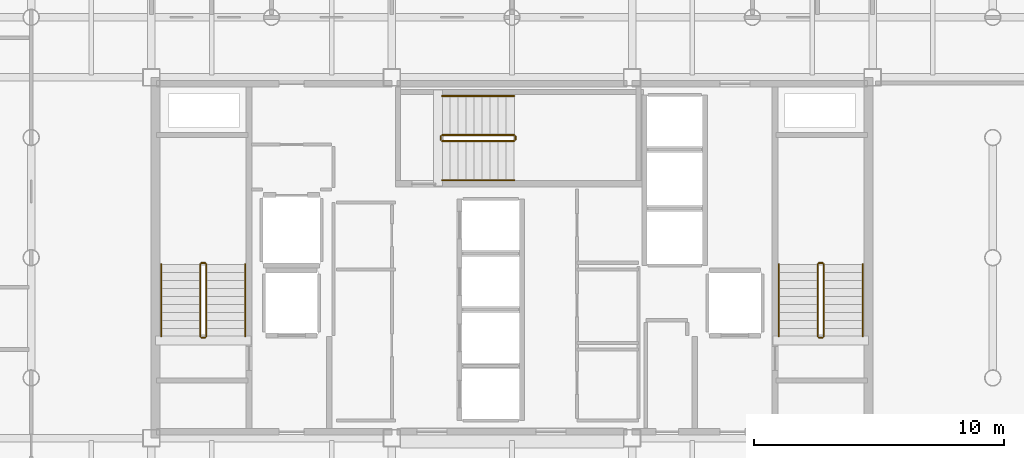
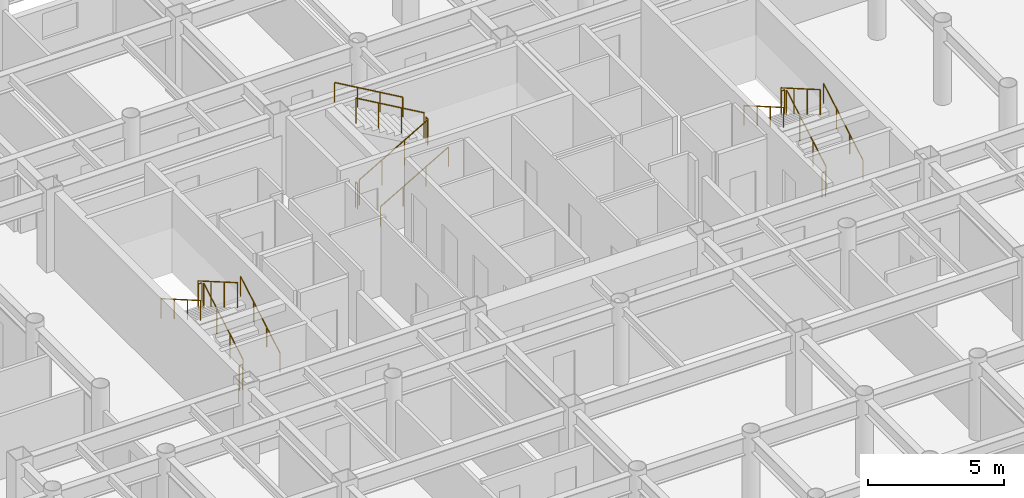
# One storey, part 20 of 20: 18 railings.
"""IFC4 building model written with IfcOpenShell, lengths in metres."""

from ifc_helpers import new_model, si_unit, direction, frame, origin, origin_2d, place, context, subcontext, project, spatial, circle, extrude, material, layer, layer_set, type_object, element, save


model = new_model("IFC4")

# Units and contexts
model_context = context("Model", 3, precision=1e-05, world=origin(), true_north=direction((0.0, 1.0)))
body_context = subcontext(model_context, "Body", "Model", "MODEL_VIEW")
ifc_project = project(units=[si_unit("LENGTHUNIT", "METRE"), si_unit("AREAUNIT", "SQUARE_METRE"), si_unit("VOLUMEUNIT", "CUBIC_METRE"), si_unit("PLANEANGLEUNIT", "RADIAN"), si_unit("MASSUNIT", "GRAM", prefix="KILO")], contexts=[model_context])

# Site, building, storey
site_placement = place(None, origin())
site = spatial("IfcSite", under=ifc_project, at=site_placement, CompositionType="ELEMENT")
building_placement = place(site_placement, origin())
building = spatial("IfcBuilding", under=site, at=building_placement, Name="Kallvorn Hotel Tower", CompositionType="ELEMENT")
storey_placement = place(building_placement, frame((0.0, 0.0, 176.60009765625)))
storey = spatial("IfcBuildingStorey", under=building, at=storey_placement, Name="L44", CompositionType="ELEMENT", Elevation=176.60009765625)

# Railings
ifc_material_1 = material(Name="Brushed stainless-steel tubular railing", Category="steel")
ifc_layer_1 = layer(ifc_material_1, 0.050048828125)
ifc_layer_set_1 = layer_set([ifc_layer_1], Name="RL_STAIR_GUARD")
railing_type_1 = type_object("IfcRailingType", Name="RL_STAIR_GUARD", PredefinedType="GUARDRAIL", material=ifc_layer_set_1)
railing_1_placement = place(storey_placement, frame((-12.2099609375, -3.139892578125, 0.184814453125)))
element("IfcRailing", 1, at=railing_1_placement, inside=storey, type_object=railing_type_1, Name="L44 ST1 stair guard 1", PredefinedType="GUARDRAIL", context=body_context, shape_type="SweptSolid", body=[
    extrude(circle(Radius=0.02392578125, at=origin_2d()), frame((0.0, 0.0, 1.1259765625), z_axis=(0.0, 0.865720918037, 0.500527014328), x_axis=(-1.0, 0.0, 0.0)), (0.0, 0.0, 1.0), 3.32666015625),
    extrude(circle(Radius=0.02099609375, at=origin_2d()), origin(), (0.0, 0.0, 1.0), 1.101806640625),
    extrude(circle(Radius=0.02099609375, at=origin_2d()), frame((0.0, 0.9599609375, 0.554931640625)), (0.0, 0.0, 1.0), 1.101806640625),
    extrude(circle(Radius=0.02099609375, at=origin_2d()), frame((0.0, 1.919921875, 1.110107421875)), (0.0, 0.0, 1.0), 1.101806640625),
    extrude(circle(Radius=0.02099609375, at=origin_2d()), frame((0.0, 2.8798828125, 1.6650390625)), (0.0, 0.0, 1.0), 1.101806640625),
])
railing_2_placement = place(storey_placement, frame((-12.260009765625, -0.2099609375, 1.849853515625)))
element("IfcRailing", 2, at=railing_2_placement, inside=storey, type_object=railing_type_1, Name="L44 ST1 stair guard 2", PredefinedType="GUARDRAIL", context=body_context, shape_type="SweptSolid", body=[
    extrude(circle(Radius=0.02392578125, at=origin_2d()), frame((0.0, 0.0, 1.1259765625), z_axis=(-1.0, 0.0, 0.0), x_axis=(0.0, -1.0, 0.0)), (0.0, 0.0, 1.0), 0.139892578125),
    extrude(circle(Radius=0.02099609375, at=origin_2d()), origin(), (0.0, 0.0, 1.0), 1.101806640625),
    extrude(circle(Radius=0.02099609375, at=origin_2d()), frame((-0.139892578125, 0.0, 0.0)), (0.0, 0.0, 1.0), 1.101806640625),
])
railing_3_placement = place(storey_placement, frame((-12.449951171875, -0.260009765625, 2.034912109375)))
element("IfcRailing", 3, at=railing_3_placement, inside=storey, type_object=railing_type_1, Name="L44 ST1 stair guard 3", PredefinedType="GUARDRAIL", context=body_context, shape_type="SweptSolid", body=[
    extrude(circle(Radius=0.02392578125, at=origin_2d()), frame((0.0, 0.0, 1.1259765625), z_axis=(0.0, -0.865720918037, 0.500527014328), x_axis=(1.0, 0.0, 0.0)), (0.0, 0.0, 1.0), 3.32666015625),
    extrude(circle(Radius=0.02099609375, at=origin_2d()), origin(), (0.0, 0.0, 1.0), 1.101806640625),
    extrude(circle(Radius=0.02099609375, at=origin_2d()), frame((0.0, -0.9599609375, 0.554931640625)), (0.0, 0.0, 1.0), 1.101806640625),
    extrude(circle(Radius=0.02099609375, at=origin_2d()), frame((0.0, -1.919921875, 1.110107421875)), (0.0, 0.0, 1.0), 1.101806640625),
    extrude(circle(Radius=0.02099609375, at=origin_2d()), frame((0.0, -2.8798828125, 1.6650390625)), (0.0, 0.0, 1.0), 1.101806640625),
])
railing_4_placement = place(storey_placement, frame((-12.260009765625, -3.18994140625, 0.0)))
element("IfcRailing", 4, at=railing_4_placement, inside=storey, type_object=railing_type_1, Name="L44 ST1 stair guard 4", PredefinedType="GUARDRAIL", context=body_context, shape_type="SweptSolid", body=[
    extrude(circle(Radius=0.02392578125, at=origin_2d()), frame((0.0, 0.0, 1.1259765625), z_axis=(-1.0, 0.0, 0.0), x_axis=(0.0, -1.0, 0.0)), (0.0, 0.0, 1.0), 0.139892578125),
    extrude(circle(Radius=0.02099609375, at=origin_2d()), origin(), (0.0, 0.0, 1.0), 1.101806640625),
    extrude(circle(Radius=0.02099609375, at=origin_2d()), frame((-0.139892578125, 0.0, 0.0)), (0.0, 0.0, 1.0), 1.101806640625),
])
railing_5_placement = place(storey_placement, frame((12.449951171875, -3.139892578125, 0.184814453125)))
element("IfcRailing", 5, at=railing_5_placement, inside=storey, type_object=railing_type_1, Name="L44 ST2 stair guard 1", PredefinedType="GUARDRAIL", context=body_context, shape_type="SweptSolid", body=[
    extrude(circle(Radius=0.02392578125, at=origin_2d()), frame((0.0, 0.0, 1.1259765625), z_axis=(0.0, 0.865720918037, 0.500527014328), x_axis=(-1.0, 0.0, 0.0)), (0.0, 0.0, 1.0), 3.32666015625),
    extrude(circle(Radius=0.02099609375, at=origin_2d()), origin(), (0.0, 0.0, 1.0), 1.101806640625),
    extrude(circle(Radius=0.02099609375, at=origin_2d()), frame((0.0, 0.9599609375, 0.554931640625)), (0.0, 0.0, 1.0), 1.101806640625),
    extrude(circle(Radius=0.02099609375, at=origin_2d()), frame((0.0, 1.919921875, 1.110107421875)), (0.0, 0.0, 1.0), 1.101806640625),
    extrude(circle(Radius=0.02099609375, at=origin_2d()), frame((0.0, 2.8798828125, 1.6650390625)), (0.0, 0.0, 1.0), 1.101806640625),
])
railing_6_placement = place(storey_placement, frame((12.39990234375, -0.2099609375, 1.849853515625)))
element("IfcRailing", 6, at=railing_6_placement, inside=storey, type_object=railing_type_1, Name="L44 ST2 stair guard 2", PredefinedType="GUARDRAIL", context=body_context, shape_type="SweptSolid", body=[
    extrude(circle(Radius=0.02392578125, at=origin_2d()), frame((0.0, 0.0, 1.1259765625), z_axis=(-1.0, 0.0, 0.0), x_axis=(0.0, -1.0, 0.0)), (0.0, 0.0, 1.0), 0.139892578125),
    extrude(circle(Radius=0.02099609375, at=origin_2d()), origin(), (0.0, 0.0, 1.0), 1.101806640625),
    extrude(circle(Radius=0.02099609375, at=origin_2d()), frame((-0.139892578125, 0.0, 0.0)), (0.0, 0.0, 1.0), 1.101806640625),
])
railing_7_placement = place(storey_placement, frame((12.2099609375, -0.260009765625, 2.034912109375)))
element("IfcRailing", 7, at=railing_7_placement, inside=storey, type_object=railing_type_1, Name="L44 ST2 stair guard 3", PredefinedType="GUARDRAIL", context=body_context, shape_type="SweptSolid", body=[
    extrude(circle(Radius=0.02392578125, at=origin_2d()), frame((0.0, 0.0, 1.1259765625), z_axis=(0.0, -0.865720918037, 0.500527014328), x_axis=(1.0, 0.0, 0.0)), (0.0, 0.0, 1.0), 3.32666015625),
    extrude(circle(Radius=0.02099609375, at=origin_2d()), origin(), (0.0, 0.0, 1.0), 1.101806640625),
    extrude(circle(Radius=0.02099609375, at=origin_2d()), frame((0.0, -0.9599609375, 0.554931640625)), (0.0, 0.0, 1.0), 1.101806640625),
    extrude(circle(Radius=0.02099609375, at=origin_2d()), frame((0.0, -1.919921875, 1.110107421875)), (0.0, 0.0, 1.0), 1.101806640625),
    extrude(circle(Radius=0.02099609375, at=origin_2d()), frame((0.0, -2.8798828125, 1.6650390625)), (0.0, 0.0, 1.0), 1.101806640625),
])
railing_8_placement = place(storey_placement, frame((12.39990234375, -3.18994140625, 0.0)))
element("IfcRailing", 8, at=railing_8_placement, inside=storey, type_object=railing_type_1, Name="L44 ST2 stair guard 4", PredefinedType="GUARDRAIL", context=body_context, shape_type="SweptSolid", body=[
    extrude(circle(Radius=0.02392578125, at=origin_2d()), frame((0.0, 0.0, 1.1259765625), z_axis=(-1.0, 0.0, 0.0), x_axis=(0.0, -1.0, 0.0)), (0.0, 0.0, 1.0), 0.139892578125),
    extrude(circle(Radius=0.02099609375, at=origin_2d()), origin(), (0.0, 0.0, 1.0), 1.101806640625),
    extrude(circle(Radius=0.02099609375, at=origin_2d()), frame((-0.139892578125, 0.0, 0.0)), (0.0, 0.0, 1.0), 1.101806640625),
])
railing_9_placement = place(storey_placement, frame((-2.7900390625, 4.659912109375, 0.184814453125)))
element("IfcRailing", 9, at=railing_9_placement, inside=storey, type_object=railing_type_1, Name="L44 ST3 stair guard 1", PredefinedType="GUARDRAIL", context=body_context, shape_type="SweptSolid", body=[
    extrude(circle(Radius=0.02392578125, at=origin_2d()), frame((0.0, 0.0, 1.1259765625), z_axis=(0.865739302748, 0.0, 0.50049521444), x_axis=(0.0, 1.0, 0.0)), (0.0, 0.0, 1.0), 3.326904296875),
    extrude(circle(Radius=0.02099609375, at=origin_2d()), origin(), (0.0, 0.0, 1.0), 1.101806640625),
    extrude(circle(Radius=0.02099609375, at=origin_2d()), frame((0.9599609375, 0.0, 0.554931640625)), (0.0, 0.0, 1.0), 1.101806640625),
    extrude(circle(Radius=0.02099609375, at=origin_2d()), frame((1.920166015625, 0.0, 1.110107421875)), (0.0, 0.0, 1.0), 1.101806640625),
    extrude(circle(Radius=0.02099609375, at=origin_2d()), frame((2.880126953125, 0.0, 1.6650390625)), (0.0, 0.0, 1.0), 1.101806640625),
])
railing_10_placement = place(storey_placement, frame((0.139892578125, 4.7099609375, 1.849853515625)))
element("IfcRailing", 10, at=railing_10_placement, inside=storey, type_object=railing_type_1, Name="L44 ST3 stair guard 2", PredefinedType="GUARDRAIL", context=body_context, shape_type="SweptSolid", body=[
    extrude(circle(Radius=0.02392578125, at=origin_2d()), frame((0.0, 0.0, 1.1259765625), z_axis=(0.0, 1.0, 0.0), x_axis=(-1.0, 0.0, 0.0)), (0.0, 0.0, 1.0), 0.14013671875),
    extrude(circle(Radius=0.02099609375, at=origin_2d()), origin(), (0.0, 0.0, 1.0), 1.101806640625),
    extrude(circle(Radius=0.02099609375, at=origin_2d()), frame((0.0, 0.14013671875, 0.0)), (0.0, 0.0, 1.0), 1.101806640625),
])
railing_11_placement = place(storey_placement, frame((0.090087890625, 4.89990234375, 2.034912109375)))
element("IfcRailing", 11, at=railing_11_placement, inside=storey, type_object=railing_type_1, Name="L44 ST3 stair guard 3", PredefinedType="GUARDRAIL", context=body_context, shape_type="SweptSolid", body=[
    extrude(circle(Radius=0.02392578125, at=origin_2d()), frame((0.0, 0.0, 1.1259765625), z_axis=(-0.865739302748, 0.0, 0.50049521444), x_axis=(0.0, -1.0, 0.0)), (0.0, 0.0, 1.0), 3.326904296875),
    extrude(circle(Radius=0.02099609375, at=origin_2d()), origin(), (0.0, 0.0, 1.0), 1.101806640625),
    extrude(circle(Radius=0.02099609375, at=origin_2d()), frame((-0.9599609375, 0.0, 0.554931640625)), (0.0, 0.0, 1.0), 1.101806640625),
    extrude(circle(Radius=0.02099609375, at=origin_2d()), frame((-1.920166015625, 0.0, 1.110107421875)), (0.0, 0.0, 1.0), 1.101806640625),
    extrude(circle(Radius=0.02099609375, at=origin_2d()), frame((-2.880126953125, 0.0, 1.6650390625)), (0.0, 0.0, 1.0), 1.101806640625),
])
railing_12_placement = place(storey_placement, frame((-2.840087890625, 4.7099609375, 0.0)))
element("IfcRailing", 12, at=railing_12_placement, inside=storey, type_object=railing_type_1, Name="L44 ST3 stair guard 4", PredefinedType="GUARDRAIL", context=body_context, shape_type="SweptSolid", body=[
    extrude(circle(Radius=0.02392578125, at=origin_2d()), frame((0.0, 0.0, 1.1259765625), z_axis=(0.0, 1.0, 0.0), x_axis=(-1.0, 0.0, 0.0)), (0.0, 0.0, 1.0), 0.14013671875),
    extrude(circle(Radius=0.02099609375, at=origin_2d()), origin(), (0.0, 0.0, 1.0), 1.101806640625),
    extrude(circle(Radius=0.02099609375, at=origin_2d()), frame((0.0, 0.14013671875, 0.0)), (0.0, 0.0, 1.0), 1.101806640625),
])
ifc_material_2 = material(Name="Brushed stainless-steel tubular railing", Category="steel")
ifc_layer_2 = layer(ifc_material_2, 0.050048828125)
ifc_layer_set_2 = layer_set([ifc_layer_2], Name="RL_STAIR_HAND")
railing_type_2 = type_object("IfcRailingType", Name="RL_STAIR_HAND", PredefinedType="HANDRAIL", material=ifc_layer_set_2)
railing_13_placement = place(storey_placement, frame((-10.64990234375, -3.139892578125, 0.184814453125)))
element("IfcRailing", 13, at=railing_13_placement, inside=storey, type_object=railing_type_2, Name="L44 ST1 stair handrail 1", PredefinedType="HANDRAIL", context=body_context, shape_type="SweptSolid", body=[
    extrude(circle(Radius=0.02392578125, at=origin_2d()), frame((0.0, 0.0, 0.8759765625), z_axis=(0.0, 0.865720918037, 0.500527014328), x_axis=(-1.0, 0.0, 0.0)), (0.0, 0.0, 1.0), 3.32666015625),
    extrude(circle(Radius=0.02099609375, at=origin_2d()), origin(), (0.0, 0.0, 1.0), 0.851806640625),
    extrude(circle(Radius=0.02099609375, at=origin_2d()), frame((0.0, 0.9599609375, 0.554931640625)), (0.0, 0.0, 1.0), 0.851806640625),
    extrude(circle(Radius=0.02099609375, at=origin_2d()), frame((0.0, 1.919921875, 1.110107421875)), (0.0, 0.0, 1.0), 0.851806640625),
    extrude(circle(Radius=0.02099609375, at=origin_2d()), frame((0.0, 2.8798828125, 1.6650390625)), (0.0, 0.0, 1.0), 0.851806640625),
])
railing_14_placement = place(storey_placement, frame((-14.010009765625, -0.260009765625, 2.034912109375)))
element("IfcRailing", 14, at=railing_14_placement, inside=storey, type_object=railing_type_2, Name="L44 ST1 stair handrail 2", PredefinedType="HANDRAIL", context=body_context, shape_type="SweptSolid", body=[
    extrude(circle(Radius=0.02392578125, at=origin_2d()), frame((0.0, 0.0, 0.8759765625), z_axis=(0.0, -0.865720918037, 0.500527014328), x_axis=(1.0, 0.0, 0.0)), (0.0, 0.0, 1.0), 3.32666015625),
    extrude(circle(Radius=0.02099609375, at=origin_2d()), origin(), (0.0, 0.0, 1.0), 0.851806640625),
    extrude(circle(Radius=0.02099609375, at=origin_2d()), frame((0.0, -0.9599609375, 0.554931640625)), (0.0, 0.0, 1.0), 0.851806640625),
    extrude(circle(Radius=0.02099609375, at=origin_2d()), frame((0.0, -1.919921875, 1.110107421875)), (0.0, 0.0, 1.0), 0.851806640625),
    extrude(circle(Radius=0.02099609375, at=origin_2d()), frame((0.0, -2.8798828125, 1.6650390625)), (0.0, 0.0, 1.0), 0.851806640625),
])
railing_15_placement = place(storey_placement, frame((14.010009765625, -3.139892578125, 0.184814453125)))
element("IfcRailing", 15, at=railing_15_placement, inside=storey, type_object=railing_type_2, Name="L44 ST2 stair handrail 1", PredefinedType="HANDRAIL", context=body_context, shape_type="SweptSolid", body=[
    extrude(circle(Radius=0.02392578125, at=origin_2d()), frame((0.0, 0.0, 0.8759765625), z_axis=(0.0, 0.865720918037, 0.500527014328), x_axis=(-1.0, 0.0, 0.0)), (0.0, 0.0, 1.0), 3.32666015625),
    extrude(circle(Radius=0.02099609375, at=origin_2d()), origin(), (0.0, 0.0, 1.0), 0.851806640625),
    extrude(circle(Radius=0.02099609375, at=origin_2d()), frame((0.0, 0.9599609375, 0.554931640625)), (0.0, 0.0, 1.0), 0.851806640625),
    extrude(circle(Radius=0.02099609375, at=origin_2d()), frame((0.0, 1.919921875, 1.110107421875)), (0.0, 0.0, 1.0), 0.851806640625),
    extrude(circle(Radius=0.02099609375, at=origin_2d()), frame((0.0, 2.8798828125, 1.6650390625)), (0.0, 0.0, 1.0), 0.851806640625),
])
railing_16_placement = place(storey_placement, frame((10.64990234375, -0.260009765625, 2.034912109375)))
element("IfcRailing", 16, at=railing_16_placement, inside=storey, type_object=railing_type_2, Name="L44 ST2 stair handrail 2", PredefinedType="HANDRAIL", context=body_context, shape_type="SweptSolid", body=[
    extrude(circle(Radius=0.02392578125, at=origin_2d()), frame((0.0, 0.0, 0.8759765625), z_axis=(0.0, -0.865720918037, 0.500527014328), x_axis=(1.0, 0.0, 0.0)), (0.0, 0.0, 1.0), 3.32666015625),
    extrude(circle(Radius=0.02099609375, at=origin_2d()), origin(), (0.0, 0.0, 1.0), 0.851806640625),
    extrude(circle(Radius=0.02099609375, at=origin_2d()), frame((0.0, -0.9599609375, 0.554931640625)), (0.0, 0.0, 1.0), 0.851806640625),
    extrude(circle(Radius=0.02099609375, at=origin_2d()), frame((0.0, -1.919921875, 1.110107421875)), (0.0, 0.0, 1.0), 0.851806640625),
    extrude(circle(Radius=0.02099609375, at=origin_2d()), frame((0.0, -2.8798828125, 1.6650390625)), (0.0, 0.0, 1.0), 0.851806640625),
])
railing_17_placement = place(storey_placement, frame((-2.7900390625, 3.10009765625, 0.184814453125)))
element("IfcRailing", 17, at=railing_17_placement, inside=storey, type_object=railing_type_2, Name="L44 ST3 stair handrail 1", PredefinedType="HANDRAIL", context=body_context, shape_type="SweptSolid", body=[
    extrude(circle(Radius=0.02392578125, at=origin_2d()), frame((0.0, 0.0, 0.8759765625), z_axis=(0.865739302748, 0.0, 0.50049521444), x_axis=(0.0, 1.0, 0.0)), (0.0, 0.0, 1.0), 3.326904296875),
    extrude(circle(Radius=0.02099609375, at=origin_2d()), origin(), (0.0, 0.0, 1.0), 0.851806640625),
    extrude(circle(Radius=0.02099609375, at=origin_2d()), frame((0.9599609375, 0.0, 0.554931640625)), (0.0, 0.0, 1.0), 0.851806640625),
    extrude(circle(Radius=0.02099609375, at=origin_2d()), frame((1.920166015625, 0.0, 1.110107421875)), (0.0, 0.0, 1.0), 0.851806640625),
    extrude(circle(Radius=0.02099609375, at=origin_2d()), frame((2.880126953125, 0.0, 1.6650390625)), (0.0, 0.0, 1.0), 0.851806640625),
])
railing_18_placement = place(storey_placement, frame((0.090087890625, 6.4599609375, 2.034912109375)))
element("IfcRailing", 18, at=railing_18_placement, inside=storey, type_object=railing_type_2, Name="L44 ST3 stair handrail 2", PredefinedType="HANDRAIL", context=body_context, shape_type="SweptSolid", body=[
    extrude(circle(Radius=0.02392578125, at=origin_2d()), frame((0.0, 0.0, 0.8759765625), z_axis=(-0.865739302748, 0.0, 0.50049521444), x_axis=(0.0, -1.0, 0.0)), (0.0, 0.0, 1.0), 3.326904296875),
    extrude(circle(Radius=0.02099609375, at=origin_2d()), origin(), (0.0, 0.0, 1.0), 0.851806640625),
    extrude(circle(Radius=0.02099609375, at=origin_2d()), frame((-0.9599609375, 0.0, 0.554931640625)), (0.0, 0.0, 1.0), 0.851806640625),
    extrude(circle(Radius=0.02099609375, at=origin_2d()), frame((-1.920166015625, 0.0, 1.110107421875)), (0.0, 0.0, 1.0), 0.851806640625),
    extrude(circle(Radius=0.02099609375, at=origin_2d()), frame((-2.880126953125, 0.0, 1.6650390625)), (0.0, 0.0, 1.0), 0.851806640625),
])

save(model, "model.ifc")
